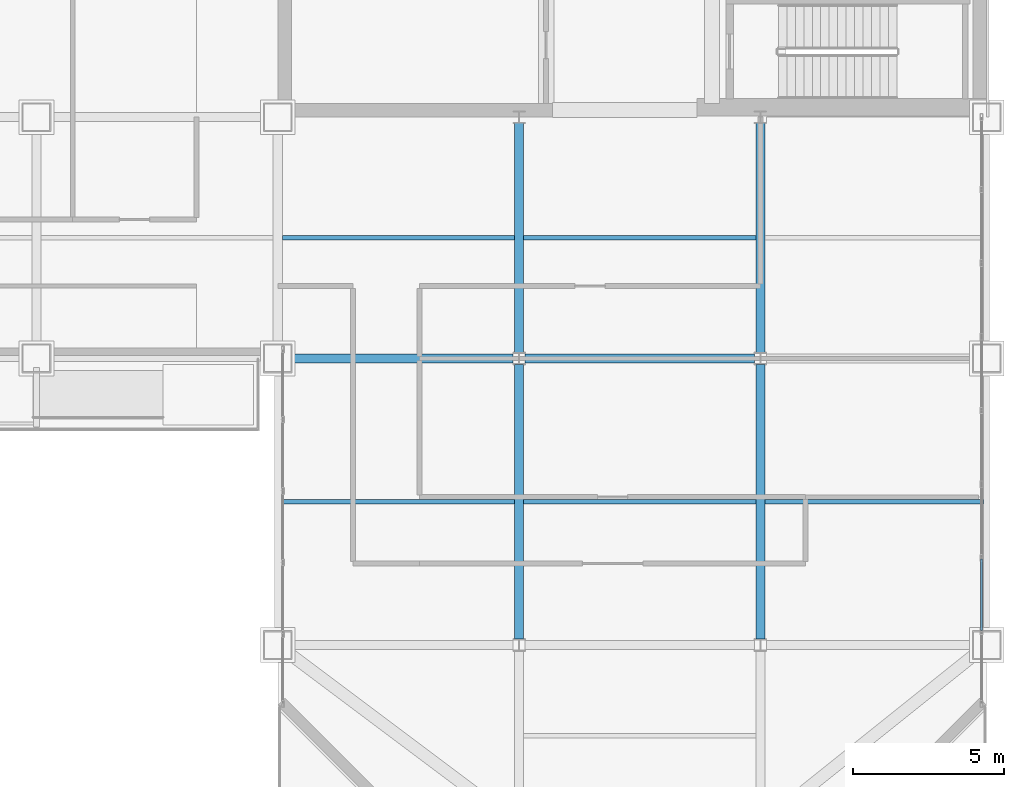
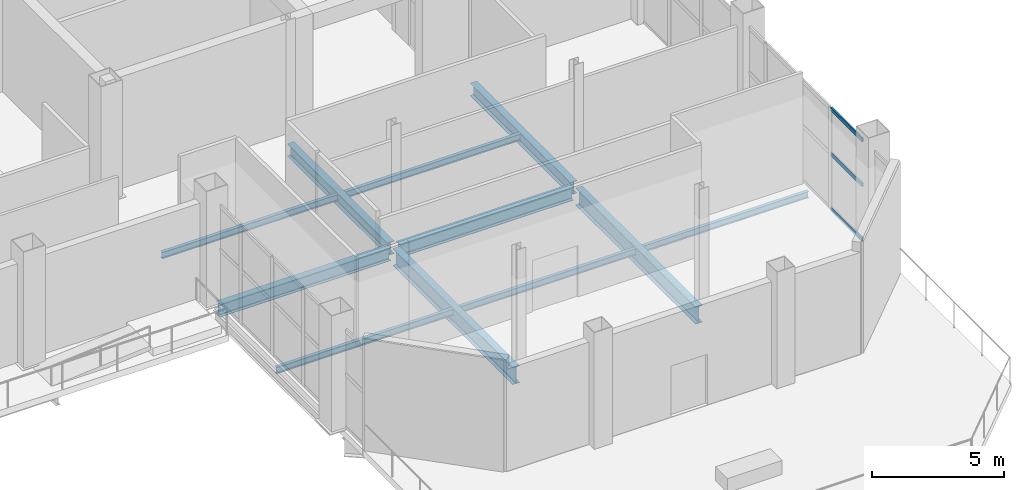
# One storey, part 11 of 21: 11 beams, 3 members, 1 element without a shape of its own.
"""IFC4 building model written with IfcOpenShell, lengths in metres."""

import ifcopenshell
import ifcopenshell.guid

model = None  # the IFC model being written
_history = None  # IfcOwnerHistory: only IFC2X3 demands one
_inside = {}  # id of a spatial element -> (the spatial element, [elements in it])
_under = {}  # id of a project, library or spatial element -> (it, [spatial elements below it])
_declared = {}  # id of a project -> (the project, [libraries it declares])
_typed = {}  # id of a type object -> (the type object, [elements of that type])
_made_of = {}  # id of a material, layer set ... -> (it, [elements and type objects made of it])


def new_model(schema):
    """Start an empty IFC model of exactly this schema.

    Asked for "IFC4X3", IfcOpenShell would pick the latest addendum, in which some entities
    have other attributes; the version numbers below select the first issue.
    IFC2X3 requires an IfcOwnerHistory on every rooted entity: one is made here for all.
    """
    global model, _history
    if schema == "IFC4X3":
        model = ifcopenshell.file(schema_version=(4, 3, 0, 0))
    else:
        model = ifcopenshell.file(schema=schema)
    _inside.clear()
    _under.clear()
    _declared.clear()
    _typed.clear()
    _made_of.clear()
    _history = None
    if model.schema == "IFC2X3":
        org = make("IfcOrganization", Name="unknown")
        user = make(
            "IfcPersonAndOrganization",
            ThePerson=make("IfcPerson", FamilyName="unknown"),
            TheOrganization=org,
        )
        app = make(
            "IfcApplication",
            ApplicationDeveloper=org,
            Version="unknown",
            ApplicationFullName="unknown",
            ApplicationIdentifier="unknown",
        )
        _history = make(
            "IfcOwnerHistory",
            OwningUser=user,
            OwningApplication=app,
            ChangeAction="ADDED",
            CreationDate=0,
        )
    return model


def make(cls, **values):
    """One entity of the class cls with the attributes given. An attribute that is None is left unset."""
    return model.create_entity(
        cls, **{name: value for name, value in values.items() if value is not None}
    )


def rooted(cls, **values):
    """An entity with a GlobalId (a new one), such as an element, a storey or a relation."""
    return make(cls, GlobalId=ifcopenshell.guid.new(), OwnerHistory=_history, **values)


def si_unit(unit_type, name, prefix=None):
    """IfcSIUnit, for example si_unit("LENGTHUNIT", "METRE", prefix="MILLI")."""
    return make("IfcSIUnit", UnitType=unit_type, Prefix=prefix, Name=name)


def assignment(units):
    """IfcUnitAssignment: the units of a project."""
    return None if units is None else make("IfcUnitAssignment", Units=units)


def point(xyz):
    """IfcCartesianPoint."""
    return None if xyz is None else make("IfcCartesianPoint", Coordinates=xyz)


def direction(xyz):
    """IfcDirection."""
    return None if xyz is None else make("IfcDirection", DirectionRatios=xyz)


def frame(location, z_axis=None, x_axis=None):
    """IfcAxis2Placement3D, a coordinate frame: its origin and axes. An axis left out is left unset."""
    return make(
        "IfcAxis2Placement3D",
        Location=point(location),
        Axis=direction(z_axis),
        RefDirection=direction(x_axis),
    )


def frame_2d(location, x_axis=None):
    """IfcAxis2Placement2D, a coordinate frame in the plane: its origin and x axis."""
    return make(
        "IfcAxis2Placement2D", Location=point(location), RefDirection=direction(x_axis)
    )


def origin():
    """The frame at (0, 0, 0) with its axes left unset."""
    return frame((0.0, 0.0, 0.0))


def origin_2d():
    """The frame at (0, 0) in the plane with its x axis left unset."""
    return frame_2d((0.0, 0.0))


def place(relative_to, where):
    """IfcLocalPlacement: puts the frame where relative to a parent placement (None: the world)."""
    return make(
        "IfcLocalPlacement", PlacementRelTo=relative_to, RelativePlacement=where
    )


def context(
    kind, dimensions, precision=None, world=None, true_north=None, identifier=None
):
    """IfcGeometricRepresentationContext, for example the 3D "Model" context."""
    return make(
        "IfcGeometricRepresentationContext",
        ContextIdentifier=identifier,
        ContextType=kind,
        CoordinateSpaceDimension=dimensions,
        Precision=precision,
        WorldCoordinateSystem=world,
        TrueNorth=true_north,
    )


def subcontext(parent, identifier, kind, view, scale=None):
    """IfcGeometricRepresentationSubContext, for example "Body" below "Model"."""
    return make(
        "IfcGeometricRepresentationSubContext",
        ContextIdentifier=identifier,
        ContextType=kind,
        ParentContext=parent,
        TargetScale=scale,
        TargetView=view,
    )


def project(units=None, contexts=None):
    """IfcProject with its units and contexts."""
    return rooted(
        "IfcProject",
        Name="project",
        RepresentationContexts=contexts,
        UnitsInContext=assignment(units),
    )


def spatial(cls, under=None, at=None, **own):
    """A site, building, storey or space (cls), placed at a placement, below another one or the project."""
    s = rooted(cls, ObjectPlacement=at, **own)
    if under is not None:
        _under.setdefault(under.id(), (under, []))[1].append(s)
    return s


def profile(cls, at=None, kind="AREA", **sizes):
    """A parametric profile (cls). Its sizes go by their IFC names, for example OverallWidth=200.0."""
    return make(cls, ProfileType=kind, Position=at, **sizes)


def hollow_rectangle(**sizes):
    """IfcRectangleHollowProfileDef."""
    return profile("IfcRectangleHollowProfileDef", **sizes)


def i_section(**sizes):
    """IfcIShapeProfileDef."""
    return profile("IfcIShapeProfileDef", **sizes)


def extrude(swept, where, along, depth):
    """IfcExtrudedAreaSolid: the profile swept, set in the frame where, extruded along a direction by depth."""
    return make(
        "IfcExtrudedAreaSolid",
        SweptArea=swept,
        Position=where,
        ExtrudedDirection=direction(along),
        Depth=depth,
    )


def shape(context_of_items, identifier, shape_type, items):
    """IfcShapeRepresentation: the items that make up one representation, for example the "Body"."""
    return make(
        "IfcShapeRepresentation",
        ContextOfItems=context_of_items,
        RepresentationIdentifier=identifier,
        RepresentationType=shape_type,
        Items=items,
    )


def material(Name=None, Category=None):
    """IfcMaterial."""
    return make("IfcMaterial", Name=Name, Category=Category)


def layer(
    of_material, thickness, ventilated=None, Name=None, Category=None, Priority=None
):
    """IfcMaterialLayer: one layer of a wall or slab, of a material (None: an air gap)."""
    return make(
        "IfcMaterialLayer",
        Material=of_material,
        LayerThickness=thickness,
        IsVentilated=ventilated,
        Name=Name,
        Category=Category,
        Priority=Priority,
    )


def layer_set(layers, Name=None):
    """IfcMaterialLayerSet."""
    return make("IfcMaterialLayerSet", MaterialLayers=layers, LayerSetName=Name)


def material_profile(
    of_material, cross_section, Name=None, Category=None, Priority=None
):
    """IfcMaterialProfile: a cross section and its material."""
    return make(
        "IfcMaterialProfile",
        Name=Name,
        Material=of_material,
        Profile=cross_section,
        Priority=Priority,
        Category=Category,
    )


def profile_set(profiles, Name=None, composite=None):
    """IfcMaterialProfileSet."""
    return make(
        "IfcMaterialProfileSet",
        Name=Name,
        MaterialProfiles=profiles,
        CompositeProfile=composite,
    )


def made_of(thing, what):
    """Note that an element or type object is made of a material, layer set ...; save() writes the relation."""
    if what is not None:
        _made_of.setdefault(what.id(), (what, []))[1].append(thing)
    return thing


def type_object(cls, material=None, **own):
    """A type object (cls), such as IfcWallType, which elements share."""
    return made_of(rooted(cls, **own), material)


def element(
    cls,
    number,
    at=None,
    inside=None,
    cuts=None,
    type_object=None,
    material=None,
    context=None,
    identifier="Body",
    shape_type=None,
    held_by="IfcProductDefinitionShape",
    body=None,
    shapes=None,
    **own,
):
    """One element of the class cls, such as IfcWall. Its Tag is "e" and its number.

    at: its placement. inside: the storey or other place that contains it. cuts: it is an
    opening in that element (IfcRelVoidsElement). A single representation is given by context,
    identifier, shape_type and body (its items); several are given by shapes. held_by: the class
    of the entity that holds the representations. save() writes the other relations.
    """
    e = rooted(cls, Tag="e%d" % number, ObjectPlacement=at, **own)
    if body is not None:
        shapes = [shape(context, identifier, shape_type, body)]
    if shapes is not None:
        e.Representation = make(held_by, Representations=shapes)
    if inside is not None:
        _inside.setdefault(inside.id(), (inside, []))[1].append(e)
    if cuts is not None:
        rooted(
            "IfcRelVoidsElement", RelatingBuildingElement=cuts, RelatedOpeningElement=e
        )
    if type_object is not None:
        _typed.setdefault(type_object.id(), (type_object, []))[1].append(e)
    return made_of(e, material)


def aggregate(whole, parts):
    """IfcRelAggregates: a whole, such as a stair, and the parts it consists of."""
    return rooted("IfcRelAggregates", RelatingObject=whole, RelatedObjects=parts)


def save(model, path):
    """Write the relations noted so far, then the file.

    IfcRelAggregates (storeys below a building ...), IfcRelContainedInSpatialStructure (elements
    in a storey), IfcRelDefinesByType, IfcRelAssociatesMaterial and IfcRelDeclares: one each for
    every whole, place, type object, material and project.
    """
    for whole, parts in _under.values():
        aggregate(whole, parts)
    for where, things in _inside.values():
        rooted(
            "IfcRelContainedInSpatialStructure",
            RelatedElements=things,
            RelatingStructure=where,
        )
    for kind, things in _typed.values():
        rooted("IfcRelDefinesByType", RelatedObjects=things, RelatingType=kind)
    for what, things in _made_of.values():
        rooted("IfcRelAssociatesMaterial", RelatedObjects=things, RelatingMaterial=what)
    for by, libraries in _declared.values():
        rooted("IfcRelDeclares", RelatingContext=by, RelatedDefinitions=libraries)
    model.write(path)


model = new_model("IFC4")

# Units and contexts
model_context = context("Model", 3, precision=1e-05, world=origin(), true_north=direction((0.0, 1.0)))
body_context = subcontext(model_context, "Body", "Model", "MODEL_VIEW")
ifc_project = project(units=[si_unit("LENGTHUNIT", "METRE"), si_unit("AREAUNIT", "SQUARE_METRE"), si_unit("VOLUMEUNIT", "CUBIC_METRE"), si_unit("PLANEANGLEUNIT", "RADIAN"), si_unit("MASSUNIT", "GRAM", prefix="KILO")], contexts=[model_context])

# Site, building, storey
site_placement = place(None, origin())
site = spatial("IfcSite", under=ifc_project, at=site_placement, CompositionType="ELEMENT")
building_placement = place(site_placement, origin())
building = spatial("IfcBuilding", under=site, at=building_placement, Name="Qianrong Seaharbour Tower", CompositionType="ELEMENT")
storey_placement = place(building_placement, frame((0.0, 0.0, 200.39990234375)))
storey = spatial("IfcBuildingStorey", under=building, at=storey_placement, Name="L48", CompositionType="ELEMENT", Elevation=200.39990234375)

# Beams
ifc_material_1 = material(Name="Structural steel SN490B", Category="steel")
ifc_material_profile_1 = material_profile(ifc_material_1, i_section(OverallWidth=0.300048828125, OverallDepth=0.587890625, WebThickness=0.011962890625, FlangeThickness=0.02001953125, FilletRadius=0.02392578125, at=origin_2d()), Name="H588x300x12x20")
ifc_profile_set_1 = profile_set([ifc_material_profile_1], Name="Structural steel SN490B")
beam_type_1 = type_object("IfcBeamType", Name="BM-G-588", PredefinedType="BEAM", material=ifc_profile_set_1)
beam_1_placement = place(storey_placement, frame((40.820068359375, 28.0, -0.593994140625), z_axis=(1.0, 0.0, 0.0), x_axis=(0.0, 1.0, 0.0)))
element("IfcBeam", 1, at=beam_1_placement, inside=storey, type_object=beam_type_1, Name="L48 Primary Girder GE G6-G7", PredefinedType="BEAM", context=body_context, shape_type="SweptSolid", body=[
    extrude(i_section(OverallWidth=0.300048828125, OverallDepth=0.587890625, WebThickness=0.011962890625, FlangeThickness=0.02001953125, FilletRadius=0.02392578125, at=origin_2d()), origin(), (0.0, 0.0, 1.0), 7.47998046875),
])
for number, where, z_axis, x_axis, name in (
    (2, (48.699951171875, 28.0, -0.593994140625), (1.0, 0.0, 0.0), (0.0, 1.0, 0.0), "L48 Primary Girder GE G7-G8"),
    (3, (48.5, 28.199951171875, -0.593994140625), (0.0, 1.0, 0.0), (-1.0, 0.0, 0.0), "L48 Primary Girder G7 GE-GF"),
    (4, (56.5, 28.199951171875, -0.593994140625), (0.0, 1.0, 0.0), (-1.0, 0.0, 0.0), "L48 Primary Girder G8 GE-GF"),
):
    element("IfcBeam", number, at=place(storey_placement, frame(where, z_axis=z_axis, x_axis=x_axis)), inside=storey, type_object=beam_type_1, Name=name, PredefinedType="BEAM", context=body_context, shape_type="SweptSolid", body=[
        extrude(i_section(OverallWidth=0.300048828125, OverallDepth=0.587890625, WebThickness=0.011962890625, FlangeThickness=0.02001953125, FilletRadius=0.02392578125, at=origin_2d()), origin(), (0.0, 0.0, 1.0), 7.60009765625),
    ])
ifc_material_profile_2 = material_profile(ifc_material_1, i_section(OverallWidth=0.300048828125, OverallDepth=0.800048828125, WebThickness=0.013916015625, FlangeThickness=0.02587890625, FilletRadius=0.028076171875, at=origin_2d()), Name="H800x300x14x26")
ifc_profile_set_2 = profile_set([ifc_material_profile_2], Name="Structural steel SN490B")
beam_type_2 = type_object("IfcBeamType", Name="BM-G-800", PredefinedType="BEAM", material=ifc_profile_set_2)
for number, where, z_axis, x_axis, name in (
    (5, (48.5, 18.699951171875, -0.699951171875), (0.0, 1.0, 0.0), (-1.0, 0.0, 0.0), "L48 Primary Girder G7 GD-GE"),
    (6, (56.5, 18.699951171875, -0.699951171875), (0.0, 1.0, 0.0), (-1.0, 0.0, 0.0), "L48 Primary Girder G8 GD-GE"),
):
    element("IfcBeam", number, at=place(storey_placement, frame(where, z_axis=z_axis, x_axis=x_axis)), inside=storey, type_object=beam_type_2, Name=name, PredefinedType="BEAM", context=body_context, shape_type="SweptSolid", body=[
        extrude(i_section(OverallWidth=0.300048828125, OverallDepth=0.800048828125, WebThickness=0.013916015625, FlangeThickness=0.02587890625, FilletRadius=0.028076171875, at=origin_2d()), origin(), (0.0, 0.0, 1.0), 9.10009765625),
    ])
ifc_material_2 = material(Name="Structural steel SN400B", Category="steel")
ifc_material_profile_3 = material_profile(ifc_material_2, i_section(OverallWidth=0.14990234375, OverallDepth=0.300048828125, WebThickness=0.006591796875, FlangeThickness=0.009033203125, FilletRadius=0.012939453125, at=origin_2d()), Name="H300x150x6.5x9")
ifc_profile_set_3 = profile_set([ifc_material_profile_3], Name="Structural steel SN400B")
beam_type_3 = type_object("IfcBeamType", Name="BM-J-300", PredefinedType="JOIST", material=ifc_profile_set_3)
beam_2_placement = place(storey_placement, frame((40.60009765625, 23.25, -0.449951171875), z_axis=(1.0, 0.0, 0.0), x_axis=(0.0, 1.0, 0.0)))
element("IfcBeam", 7, at=beam_2_placement, inside=storey, type_object=beam_type_3, Name="L48 Composite Floor Joist G6-G7/GD-GE", PredefinedType="JOIST", context=body_context, shape_type="SweptSolid", body=[
    extrude(i_section(OverallWidth=0.14990234375, OverallDepth=0.300048828125, WebThickness=0.006591796875, FlangeThickness=0.009033203125, FilletRadius=0.012939453125, at=origin_2d()), origin(), (0.0, 0.0, 1.0), 7.75),
])
for number, where, z_axis, x_axis, name in (
    (8, (40.64990234375, 32.0, -0.449951171875), (1.0, 0.0, 0.0), (0.0, 1.0, 0.0), "L48 Composite Floor Joist G6-G7/GE-GF"),
    (9, (48.64990234375, 23.25, -0.449951171875), (1.0, 0.0, 0.0), (0.0, 1.0, 0.0), "L48 Composite Floor Joist G7-G8/GD-GE"),
    (10, (48.64990234375, 32.0, -0.449951171875), (1.0, 0.0, 0.0), (0.0, 1.0, 0.0), "L48 Composite Floor Joist G7-G8/GE-GF"),
):
    element("IfcBeam", number, at=place(storey_placement, frame(where, z_axis=z_axis, x_axis=x_axis)), inside=storey, type_object=beam_type_3, Name=name, PredefinedType="JOIST", context=body_context, shape_type="SweptSolid", body=[
        extrude(i_section(OverallWidth=0.14990234375, OverallDepth=0.300048828125, WebThickness=0.006591796875, FlangeThickness=0.009033203125, FilletRadius=0.012939453125, at=origin_2d()), origin(), (0.0, 0.0, 1.0), 7.7001953125),
    ])
beam_3_placement = place(storey_placement, frame((56.64990234375, 23.25, -0.449951171875), z_axis=(1.0, 0.0, 0.0), x_axis=(0.0, 1.0, 0.0)))
element("IfcBeam", 11, at=beam_3_placement, inside=storey, type_object=beam_type_3, Name="L48 Composite Floor Joist G8-G9/GD-GE", PredefinedType="JOIST", context=body_context, shape_type="SweptSolid", body=[
    extrude(i_section(OverallWidth=0.14990234375, OverallDepth=0.300048828125, WebThickness=0.006591796875, FlangeThickness=0.009033203125, FilletRadius=0.012939453125, at=origin_2d()), origin(), (0.0, 0.0, 1.0), 7.25),
])

# Curtain wall, members
ifc_material_3 = material(Name="Anodised aluminium 6063-T6 and laminated low-e glass", Category="aluminium")
ifc_layer = layer(ifc_material_3, 0.2099609375)
ifc_layer_set = layer_set([ifc_layer], Name="Anodised aluminium 6063-T6 and laminated low-e glass")
curtain_wall_type = type_object("IfcCurtainWallType", Name="CW-SYS-2", PredefinedType="NOTDEFINED", material=ifc_layer_set)
curtain_wall_placement = place(storey_placement, origin())
curtain_wall = element("IfcCurtainWall", 12, at=curtain_wall_placement, inside=storey, type_object=curtain_wall_type, Name="L48 Sky-Lobby Feature Curtain Wall EAST_WING", PredefinedType="NOTDEFINED")
ifc_material_4 = material(Name="Extruded aluminium 6063-T6", Category="aluminium")
ifc_material_profile_4 = material_profile(ifc_material_4, hollow_rectangle(XDim=0.070068359375, YDim=0.179931640625, WallThickness=0.00390625, at=origin_2d()), Name="ALU-TRN-180x70x4")
ifc_profile_set_4 = profile_set([ifc_material_profile_4], Name="Extruded aluminium 6063-T6")
member_type = type_object("IfcMemberType", Name="CW-TRN-180", PredefinedType="USERDEFINED", material=ifc_profile_set_4)
member_1_placement = place(storey_placement, frame((63.830078125, 21.347412109375, 0.03515625), z_axis=(0.0, -1.0, 0.0), x_axis=(1.0, 0.0, 0.0)))
member_1 = element("IfcMember", 13, at=member_1_placement, type_object=member_type, Name="CW-2 transom 7.1", ObjectType="TRANSOM", PredefinedType="USERDEFINED", context=body_context, shape_type="SweptSolid", body=[
    extrude(hollow_rectangle(XDim=0.070068359375, YDim=0.179931640625, WallThickness=0.00390625, at=origin_2d()), origin(), (0.0, 0.0, 1.0), 2.36376953125),
])
member_2_placement = place(storey_placement, frame((63.830078125, 21.347412109375, 2.576904296875), z_axis=(0.0, -1.0, 0.0), x_axis=(1.0, 0.0, 0.0)))
member_2 = element("IfcMember", 14, at=member_2_placement, type_object=member_type, Name="CW-2 transom 7.2", ObjectType="TRANSOM", PredefinedType="USERDEFINED", context=body_context, shape_type="SweptSolid", body=[
    extrude(hollow_rectangle(XDim=0.070068359375, YDim=0.179931640625, WallThickness=0.00390625, at=origin_2d()), origin(), (0.0, 0.0, 1.0), 2.36376953125),
])
member_3_placement = place(storey_placement, frame((63.830078125, 21.347412109375, 4.650146484375), z_axis=(0.0, -1.0, 0.0), x_axis=(1.0, 0.0, 0.0)))
member_3 = element("IfcMember", 15, at=member_3_placement, type_object=member_type, Name="CW-2 transom 7.3", ObjectType="TRANSOM", PredefinedType="USERDEFINED", context=body_context, shape_type="SweptSolid", body=[
    extrude(hollow_rectangle(XDim=0.070068359375, YDim=0.179931640625, WallThickness=0.00390625, at=origin_2d()), origin(), (0.0, 0.0, 1.0), 2.36376953125),
])
aggregate(curtain_wall, [member_1, member_2, member_3])

save(model, "model.ifc")
